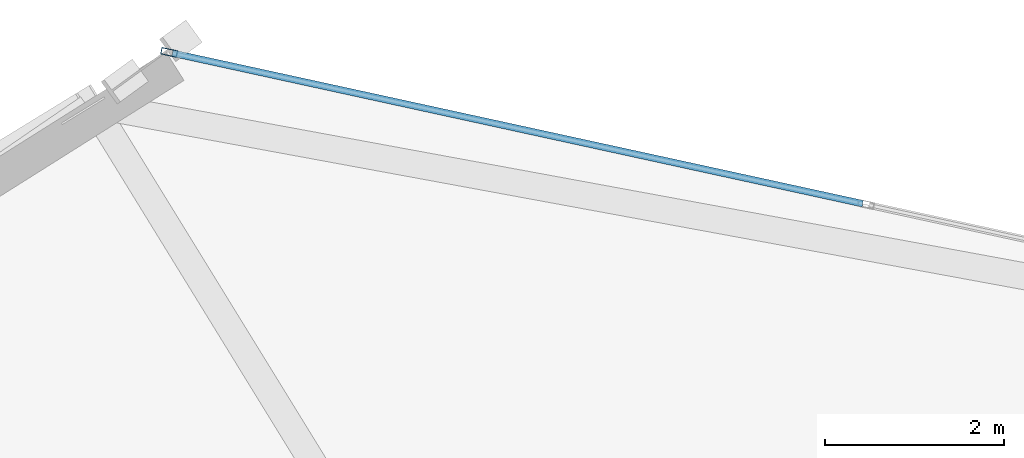
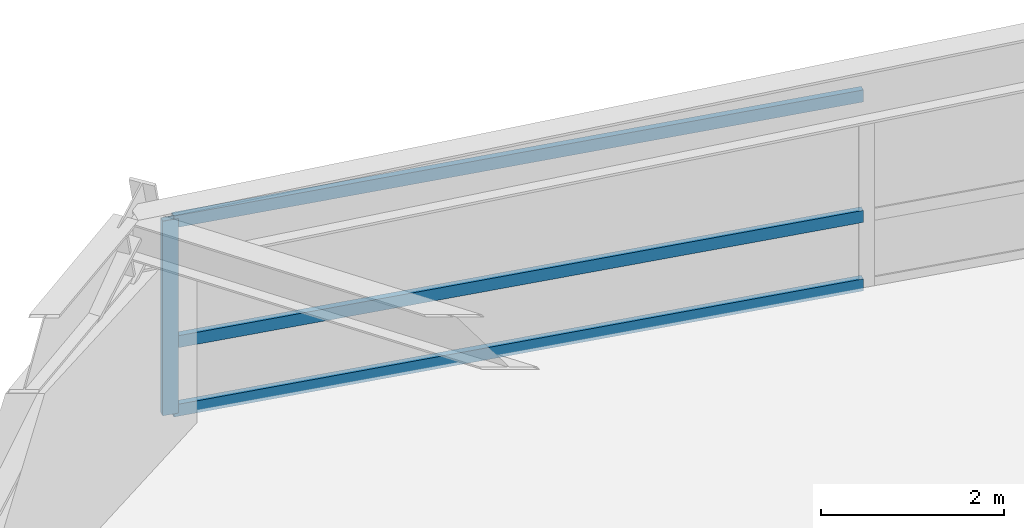
# One storey, part 8 of 21: 4 members, 1 element without a shape of its own.
"""IFC4 building model written with IfcOpenShell, lengths in metres."""

from ifc_helpers import new_model, si_unit, direction, frame, origin, origin_2d, place, context, subcontext, project, spatial, hollow_rectangle, extrude, source, transform, mapped, material, material_profile, profile_set, type_object, element, aggregate, save


model = new_model("IFC4")

# Units and contexts
model_context = context("Model", 3, precision=1e-05, world=origin(), true_north=direction((0.0, 1.0)))
body_context = subcontext(model_context, "Body", "Model", "MODEL_VIEW")
ifc_project = project(units=[si_unit("LENGTHUNIT", "METRE"), si_unit("AREAUNIT", "SQUARE_METRE"), si_unit("VOLUMEUNIT", "CUBIC_METRE"), si_unit("PLANEANGLEUNIT", "RADIAN"), si_unit("MASSUNIT", "GRAM", prefix="KILO")], contexts=[model_context])

# Site, building, storey
site_placement = place(None, origin())
site = spatial("IfcSite", under=ifc_project, at=site_placement, CompositionType="ELEMENT")
building_placement = place(site_placement, origin())
building = spatial("IfcBuilding", under=site, at=building_placement, Name="Olszyna Solenne Hotel", CompositionType="ELEMENT")
storey_placement = place(building_placement, frame((0.0, 0.0, 39.949951171875)))
storey = spatial("IfcBuildingStorey", under=building, at=storey_placement, Name="L09", CompositionType="ELEMENT", Elevation=39.949951171875)

# Curtain wall, members
ifc_material = material(Name="Anodised bronze aluminium", Category="aluminium")
curtain_wall_type = type_object("IfcCurtainWallType", Name="CW-SYS-2", PredefinedType="NOTDEFINED", material=ifc_material)
curtain_wall_placement = place(storey_placement, origin())
curtain_wall = element("IfcCurtainWall", 1, at=curtain_wall_placement, inside=storey, type_object=curtain_wall_type, Name="Unitised curtain wall CW-SYS-2 CW-L09-02", PredefinedType="NOTDEFINED")
ifc_material_profile_1 = material_profile(ifc_material, hollow_rectangle(XDim=0.074951171875, YDim=0.179931640625, WallThickness=0.00439453125, at=origin_2d()), Name="MULL 180x75x4.5", Category="load-bearing")
ifc_profile_set_1 = profile_set([ifc_material_profile_1], Name="Anodised bronze aluminium")
member_type_1 = type_object("IfcMemberType", Name="CW-M2", PredefinedType="MULLION", material=ifc_profile_set_1)
shared_shape_1 = source(origin(), body_context, "Body", "SweptSolid", [
    extrude(hollow_rectangle(XDim=0.074951171875, YDim=0.179931640625, WallThickness=0.00439453125, at=origin_2d()), origin(), (0.0, 0.0, 1.0), 2.592041015625),
])
member_1_placement = place(storey_placement, frame((25.96875, 48.12841796875, 0.0), z_axis=(0.0, 0.0, 1.0), x_axis=(0.213104027523, 0.977029515139, 0.0)))
member_1 = element("IfcMember", 2, at=member_1_placement, type_object=member_type_1, Name="Curtain-wall mullion CW-M2 CM-L09-02-01", PredefinedType="MULLION", context=body_context, shape_type="MappedRepresentation", body=[
    mapped(shared_shape_1, transform((0.0, 0.0, 0.0), x_axis=(1.0, 0.0, 0.0), y_axis=(0.0, 1.0, 0.0), z_axis=(0.0, 0.0, 1.0), scale=1.0)),
])
ifc_material_profile_2 = material_profile(ifc_material, hollow_rectangle(XDim=0.074951171875, YDim=0.159912109375, WallThickness=0.00390625, at=origin_2d()), Name="TRAN 160x75x4", Category="load-bearing")
ifc_profile_set_2 = profile_set([ifc_material_profile_2], Name="Anodised bronze aluminium")
member_type_2 = type_object("IfcMemberType", Name="CW-T1", PredefinedType="USERDEFINED", material=ifc_profile_set_2)
shared_shape_2 = source(origin(), body_context, "Body", "SweptSolid", [
    extrude(hollow_rectangle(XDim=0.074951171875, YDim=0.159912109375, WallThickness=0.00390625, at=origin_2d()), origin(), (0.0, 0.0, 1.0), 7.89794921875),
])
member_2_placement = place(storey_placement, frame((26.00537109375, 48.120361328125, 0.03759765625), z_axis=(0.977029103559, -0.213105914511, 0.0), x_axis=(0.213105914511, 0.977029103559, 0.0)))
member_2 = element("IfcMember", 3, at=member_2_placement, type_object=member_type_2, Name="Curtain-wall transom CW-T1 CT-L09-02-01", ObjectType="TRANSOM", PredefinedType="USERDEFINED", context=body_context, shape_type="MappedRepresentation", body=[
    mapped(shared_shape_2, transform((0.0, 0.0, 0.0), x_axis=(1.0, 0.0, 0.0), y_axis=(0.0, 1.0, 0.0), z_axis=(0.0, 0.0, 1.0), scale=1.0)),
])
member_3_placement = place(storey_placement, frame((26.00537109375, 48.120361328125, 0.949951171875), z_axis=(0.977029103559, -0.213105914511, 0.0), x_axis=(0.213105914511, 0.977029103559, 0.0)))
member_3 = element("IfcMember", 4, at=member_3_placement, type_object=member_type_2, Name="Curtain-wall transom CW-T1 CT-L09-02-02", ObjectType="TRANSOM", PredefinedType="USERDEFINED", context=body_context, shape_type="MappedRepresentation", body=[
    mapped(shared_shape_2, transform((0.0, 0.0, 0.0), x_axis=(1.0, 0.0, 0.0), y_axis=(0.0, 1.0, 0.0), z_axis=(0.0, 0.0, 1.0), scale=1.0)),
])
member_4_placement = place(storey_placement, frame((26.00537109375, 48.120361328125, 2.554443359375), z_axis=(0.977029103559, -0.213105914511, 0.0), x_axis=(0.213105914511, 0.977029103559, 0.0)))
member_4 = element("IfcMember", 5, at=member_4_placement, type_object=member_type_2, Name="Curtain-wall transom CW-T1 CT-L09-02-03", ObjectType="TRANSOM", PredefinedType="USERDEFINED", context=body_context, shape_type="MappedRepresentation", body=[
    mapped(shared_shape_2, transform((0.0, 0.0, 0.0), x_axis=(1.0, 0.0, 0.0), y_axis=(0.0, 1.0, 0.0), z_axis=(0.0, 0.0, 1.0), scale=1.0)),
])
aggregate(curtain_wall, [member_1, member_2, member_3, member_4])

save(model, "model.ifc")
